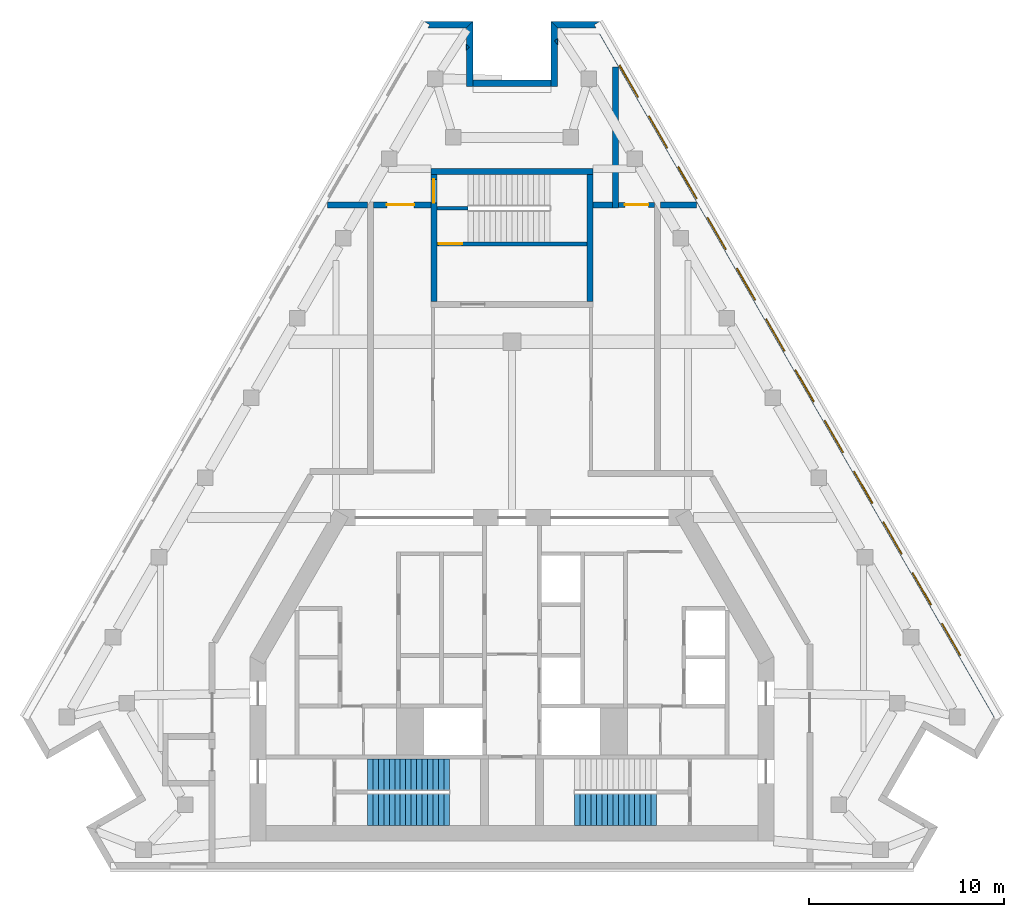
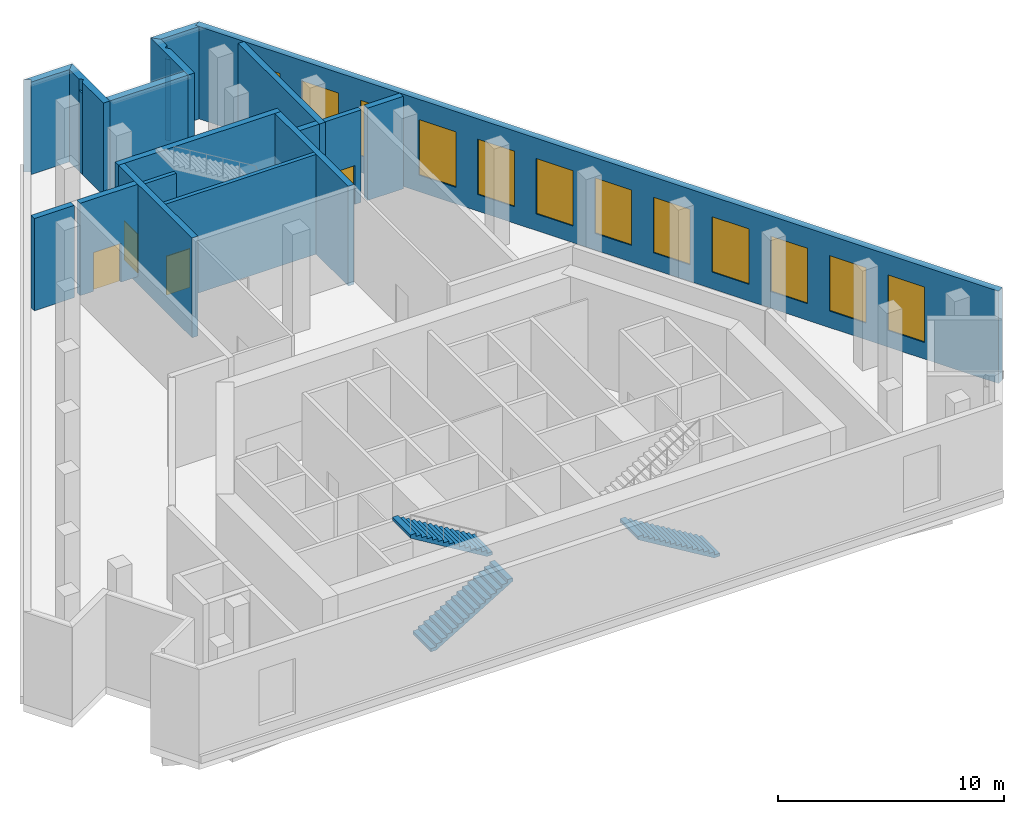
# One storey, part 6 of 8: 19 walls, 12 windows, 4 doors, 3 stair flights, 16 openings, 2 elements without a shape of their own.
"""IFC4 building model written with IfcOpenShell, lengths in metres."""

from ifc_helpers import new_model, si_unit, direction, frame, frame_2d, origin, place, context, subcontext, project, spatial, polyline, rectangle, outline, extrude, material, layer, layer_set, type_object, element, fill, aggregate, save


model = new_model("IFC4")

# Units and contexts
model_context = context("Model", 3, precision=1e-05, world=origin(), true_north=direction((0.0, 1.0)))
body_context = subcontext(model_context, "Body", "Model", "MODEL_VIEW")
ifc_project = project(units=[si_unit("LENGTHUNIT", "METRE"), si_unit("AREAUNIT", "SQUARE_METRE"), si_unit("VOLUMEUNIT", "CUBIC_METRE"), si_unit("PLANEANGLEUNIT", "RADIAN"), si_unit("MASSUNIT", "GRAM", prefix="KILO")], contexts=[model_context])

# Site, building, storey
site_placement = place(None, origin())
site = spatial("IfcSite", under=ifc_project, at=site_placement, CompositionType="ELEMENT")
building_placement = place(site_placement, origin())
building = spatial("IfcBuilding", under=site, at=building_placement, Name="Fogline Exchange Tower", CompositionType="ELEMENT")
storey_placement = place(building_placement, frame((0.0, 0.0, 304.5)))
storey = spatial("IfcBuildingStorey", under=building, at=storey_placement, Name="L69", CompositionType="ELEMENT", Elevation=304.5)

# Wall
ifc_material_1 = material(Name="Concrete C40", Category="concrete")
ifc_layer_1 = layer(ifc_material_1, 0.199951171875)
ifc_layer_set_1 = layer_set([ifc_layer_1], Name="CW20B")
wall_type_1 = type_object("IfcWallType", Name="CW20B", PredefinedType="SOLIDWALL", material=ifc_layer_set_1)
wall_1_placement = place(storey_placement, frame((-3.85009765625, 33.83203125, 0.0), z_axis=(0.0, 0.0, 1.0), x_axis=(1.0, 0.0, 0.0)))
element("IfcWall", 1, at=wall_1_placement, inside=storey, type_object=wall_type_1, Name="Stair separation wall ST3", PredefinedType="SOLIDWALL", context=body_context, shape_type="SweptSolid", body=[
    extrude(rectangle(XDim=1.60009765625, YDim=0.199951171875, at=frame_2d((0.800048828125, 0.0))), origin(), (0.0, 0.0, 1.0), 5.0),
])

# Wall, opening, door
ifc_layer_2 = layer(ifc_material_1, 0.199951171875)
ifc_layer_set_2 = layer_set([ifc_layer_2], Name="CW20R")
wall_type_2 = type_object("IfcWallType", Name="CW20R", PredefinedType="SOLIDWALL", material=ifc_layer_set_2)
wall_2_placement = place(storey_placement, frame((-3.85009765625, 32.007080078125, -0.39990234375), z_axis=(0.0, 0.0, 1.0), x_axis=(1.0, 0.0, 0.0)))
wall_2 = element("IfcWall", 2, at=wall_2_placement, inside=storey, type_object=wall_type_2, Name="Stair enclosure wall ST3", PredefinedType="SOLIDWALL", context=body_context, shape_type="SweptSolid", body=[
    extrude(rectangle(XDim=7.7001953125, YDim=0.199951171875, at=frame_2d((3.85009765625, 0.0))), origin(), (0.0, 0.0, 1.0), 5.39990234375),
])
opening_1_placement = place(wall_2_placement, frame((0.10009765625, 0.0, 0.39990234375)))
opening_1 = element("IfcOpeningElement", 3, at=opening_1_placement, cuts=wall_2, Name="Opening L69-C028", PredefinedType="OPENING", context=body_context, shape_type="SweptSolid", body=[
    extrude(rectangle(XDim=1.199951171875, YDim=2.10009765625, at=frame_2d((0.60009765625, 1.050048828125))), frame((0.0, 0.10986328125, 0.0), z_axis=(0.0, -1.0, 0.0), x_axis=(1.0, 0.0, 0.0)), (0.0, 0.0, 1.0), 0.219970703125),
])
ifc_material_2 = material(Name="Steel and timber fire door", Category="steel")
door_type_1 = type_object("IfcDoorType", Name="D-ST1", OperationType="SINGLE_SWING_LEFT", PredefinedType="DOOR", material=ifc_material_2)
door_1_placement = place(opening_1_placement, origin())
door_1 = element("IfcDoor", 4, at=door_1_placement, inside=storey, type_object=door_type_1, Name="Stair door ST3", OperationType="SINGLE_SWING_LEFT", OverallHeight=2.10009765625, OverallWidth=1.199951171875, PredefinedType="DOOR", context=body_context, shape_type="SweptSolid", body=[
    extrude(rectangle(XDim=1.199951171875, YDim=2.10009765625, at=frame_2d((0.60009765625, 1.050048828125))), frame((0.0, 0.02490234375, 0.0), z_axis=(0.0, -1.0, 0.0), x_axis=(1.0, 0.0, 0.0)), (0.0, 0.0, 1.0), 0.050048828125),
])
fill(opening_1, door_1)

# Wall
ifc_layer_3 = layer(ifc_material_1, 0.300048828125)
ifc_layer_set_3 = layer_set([ifc_layer_3], Name="CW30")
wall_type_3 = type_object("IfcWallType", Name="CW30", PredefinedType="SOLIDWALL", material=ifc_layer_set_3)
wall_3_placement = place(storey_placement, frame((-4.14990234375, 35.70703125, -0.39990234375), z_axis=(0.0, 0.0, 1.0), x_axis=(1.0, 0.0, 0.0)))
element("IfcWall", 5, at=wall_3_placement, inside=storey, type_object=wall_type_3, Name="Stair enclosure wall ST3", PredefinedType="SOLIDWALL", context=body_context, shape_type="SweptSolid", body=[
    extrude(rectangle(XDim=8.2998046875, YDim=0.300048828125, at=frame_2d((4.14990234375, 0.0))), origin(), (0.0, 0.0, 1.0), 5.39990234375),
])

# Wall, opening, door
wall_4_placement = place(storey_placement, frame((-4.0, 29.056884765625, -0.39990234375), z_axis=(0.0, 0.0, 1.0), x_axis=(0.0, 1.0, 0.0)))
wall_4 = element("IfcWall", 6, at=wall_4_placement, inside=storey, type_object=wall_type_3, Name="Stair enclosure wall ST3", PredefinedType="SOLIDWALL", context=body_context, shape_type="SweptSolid", body=[
    extrude(rectangle(XDim=6.5, YDim=0.300048828125, at=frame_2d((3.25, 0.0))), origin(), (0.0, 0.0, 1.0), 5.39990234375),
])
opening_2_placement = place(wall_4_placement, frame((5.050048828125, 0.0, 0.39990234375)))
opening_2 = element("IfcOpeningElement", 7, at=opening_2_placement, cuts=wall_4, Name="Opening L69-C029", PredefinedType="OPENING", context=body_context, shape_type="SweptSolid", body=[
    extrude(rectangle(XDim=1.199951171875, YDim=2.10009765625, at=frame_2d((0.60009765625, 1.050048828125))), frame((0.0, 0.16015625, 0.0), z_axis=(0.0, -1.0, 0.0), x_axis=(1.0, 0.0, 0.0)), (0.0, 0.0, 1.0), 0.320068359375),
])
door_2_placement = place(opening_2_placement, origin())
door_2 = element("IfcDoor", 8, at=door_2_placement, inside=storey, type_object=door_type_1, Name="Stair arrival door ST3", OperationType="SINGLE_SWING_RIGHT", OverallHeight=2.10009765625, OverallWidth=1.199951171875, PredefinedType="DOOR", context=body_context, shape_type="SweptSolid", body=[
    extrude(rectangle(XDim=1.199951171875, YDim=2.10009765625, at=frame_2d((0.60009765625, 1.050048828125))), frame((0.0, 0.02490234375, 0.0), z_axis=(0.0, -1.0, 0.0), x_axis=(1.0, 0.0, 0.0)), (0.0, 0.0, 1.0), 0.050048828125),
])
fill(opening_2, door_2)

# Wall
wall_5_placement = place(storey_placement, frame((4.0, 29.056884765625, -0.39990234375), z_axis=(0.0, 0.0, 1.0), x_axis=(0.0, 1.0, 0.0)))
element("IfcWall", 9, at=wall_5_placement, inside=storey, type_object=wall_type_3, Name="Stair enclosure wall ST3", PredefinedType="SOLIDWALL", context=body_context, shape_type="SweptSolid", body=[
    extrude(rectangle(XDim=6.5, YDim=0.300048828125, at=frame_2d((3.25, 0.0))), origin(), (0.0, 0.0, 1.0), 5.39990234375),
])

# Wall, openings, windows
ifc_material_3 = material(Name="Brick masonry", Category="masonry")
ifc_layer_4 = layer(ifc_material_3, 0.340087890625)
ifc_layer_set_4 = layer_set([ifc_layer_4], Name="FW3")
wall_type_4 = type_object("IfcWallType", Name="FW3", PredefinedType="SOLIDWALL", material=ifc_layer_set_4)
wall_6_placement = place(storey_placement, frame((24.905029296875, 7.709228515625, 0.0), z_axis=(0.0, 0.0, 1.0), x_axis=(-0.50000128873, 0.866024659735, 0.0)))
wall_6 = element("IfcWall", 10, at=wall_6_placement, inside=storey, type_object=wall_type_4, Name="Brick wall L69 E", PredefinedType="SOLIDWALL", context=body_context, shape_type="SweptSolid", body=[
    extrude(rectangle(XDim=41.1044921875, YDim=0.340087890625, at=frame_2d((20.55224609375, 0.0))), origin(), (0.0, 0.0, 1.0), 5.0),
])
opening_3_placement = place(wall_6_placement, frame((3.776123046875, 0.0, 0.89990234375)))
opening_3 = element("IfcOpeningElement", 11, at=opening_3_placement, cuts=wall_6, Name="Opening W6", PredefinedType="OPENING", context=body_context, shape_type="SweptSolid", body=[
    extrude(rectangle(XDim=1.885009765625, YDim=3.0, at=frame_2d((0.9423828125, 1.5))), frame((0.0, 0.18017578125, 0.0), z_axis=(0.0, -1.0, 0.0), x_axis=(1.0, 0.0, 0.0)), (0.0, 0.0, 1.0), 0.360107421875),
])
opening_4_placement = place(wall_6_placement, frame((6.776123046875, 0.0, 0.89990234375)))
opening_4 = element("IfcOpeningElement", 12, at=opening_4_placement, cuts=wall_6, Name="Opening W6", PredefinedType="OPENING", context=body_context, shape_type="SweptSolid", body=[
    extrude(rectangle(XDim=1.885009765625, YDim=3.0, at=frame_2d((0.9423828125, 1.5))), frame((0.0, 0.18017578125, 0.0), z_axis=(0.0, -1.0, 0.0), x_axis=(1.0, 0.0, 0.0)), (0.0, 0.0, 1.0), 0.360107421875),
])
opening_5_placement = place(wall_6_placement, frame((9.776123046875, 0.0, 0.89990234375)))
opening_5 = element("IfcOpeningElement", 13, at=opening_5_placement, cuts=wall_6, Name="Opening W6", PredefinedType="OPENING", context=body_context, shape_type="SweptSolid", body=[
    extrude(rectangle(XDim=1.885009765625, YDim=3.0, at=frame_2d((0.9423828125, 1.5))), frame((0.0, 0.18017578125, 0.0), z_axis=(0.0, -1.0, 0.0), x_axis=(1.0, 0.0, 0.0)), (0.0, 0.0, 1.0), 0.360107421875),
])
opening_6_placement = place(wall_6_placement, frame((12.776123046875, 0.0, 0.89990234375)))
opening_6 = element("IfcOpeningElement", 14, at=opening_6_placement, cuts=wall_6, Name="Opening W6", PredefinedType="OPENING", context=body_context, shape_type="SweptSolid", body=[
    extrude(rectangle(XDim=1.885009765625, YDim=3.0, at=frame_2d((0.9423828125, 1.5))), frame((0.0, 0.18017578125, 0.0), z_axis=(0.0, -1.0, 0.0), x_axis=(1.0, 0.0, 0.0)), (0.0, 0.0, 1.0), 0.360107421875),
])
opening_7_placement = place(wall_6_placement, frame((15.776123046875, 0.0, 0.89990234375)))
opening_7 = element("IfcOpeningElement", 15, at=opening_7_placement, cuts=wall_6, Name="Opening W6", PredefinedType="OPENING", context=body_context, shape_type="SweptSolid", body=[
    extrude(rectangle(XDim=1.885009765625, YDim=3.0, at=frame_2d((0.9423828125, 1.5))), frame((0.0, 0.18017578125, 0.0), z_axis=(0.0, -1.0, 0.0), x_axis=(1.0, 0.0, 0.0)), (0.0, 0.0, 1.0), 0.360107421875),
])
opening_8_placement = place(wall_6_placement, frame((18.776123046875, 0.0, 0.89990234375)))
opening_8 = element("IfcOpeningElement", 16, at=opening_8_placement, cuts=wall_6, Name="Opening W6", PredefinedType="OPENING", context=body_context, shape_type="SweptSolid", body=[
    extrude(rectangle(XDim=1.885009765625, YDim=3.0, at=frame_2d((0.9423828125, 1.5))), frame((0.0, 0.18017578125, 0.0), z_axis=(0.0, -1.0, 0.0), x_axis=(1.0, 0.0, 0.0)), (0.0, 0.0, 1.0), 0.360107421875),
])
opening_9_placement = place(wall_6_placement, frame((21.776123046875, 0.0, 0.89990234375)))
opening_9 = element("IfcOpeningElement", 17, at=opening_9_placement, cuts=wall_6, Name="Opening W6", PredefinedType="OPENING", context=body_context, shape_type="SweptSolid", body=[
    extrude(rectangle(XDim=1.885009765625, YDim=3.0, at=frame_2d((0.9423828125, 1.5))), frame((0.0, 0.18017578125, 0.0), z_axis=(0.0, -1.0, 0.0), x_axis=(1.0, 0.0, 0.0)), (0.0, 0.0, 1.0), 0.360107421875),
])
opening_10_placement = place(wall_6_placement, frame((24.776123046875, 0.0, 0.89990234375)))
opening_10 = element("IfcOpeningElement", 18, at=opening_10_placement, cuts=wall_6, Name="Opening W6", PredefinedType="OPENING", context=body_context, shape_type="SweptSolid", body=[
    extrude(rectangle(XDim=1.885009765625, YDim=3.0, at=frame_2d((0.9423828125, 1.5))), frame((0.0, 0.18017578125, 0.0), z_axis=(0.0, -1.0, 0.0), x_axis=(1.0, 0.0, 0.0)), (0.0, 0.0, 1.0), 0.360107421875),
])
opening_11_placement = place(wall_6_placement, frame((27.776123046875, 0.0, 0.89990234375)))
opening_11 = element("IfcOpeningElement", 19, at=opening_11_placement, cuts=wall_6, Name="Opening W6", PredefinedType="OPENING", context=body_context, shape_type="SweptSolid", body=[
    extrude(rectangle(XDim=1.885009765625, YDim=3.0, at=frame_2d((0.9423828125, 1.5))), frame((0.0, 0.18017578125, 0.0), z_axis=(0.0, -1.0, 0.0), x_axis=(1.0, 0.0, 0.0)), (0.0, 0.0, 1.0), 0.360107421875),
])
opening_12_placement = place(wall_6_placement, frame((30.776123046875, 0.0, 0.89990234375)))
opening_12 = element("IfcOpeningElement", 20, at=opening_12_placement, cuts=wall_6, Name="Opening W6", PredefinedType="OPENING", context=body_context, shape_type="SweptSolid", body=[
    extrude(rectangle(XDim=1.885009765625, YDim=3.0, at=frame_2d((0.9423828125, 1.5))), frame((0.0, 0.18017578125, 0.0), z_axis=(0.0, -1.0, 0.0), x_axis=(1.0, 0.0, 0.0)), (0.0, 0.0, 1.0), 0.360107421875),
])
opening_13_placement = place(wall_6_placement, frame((33.776123046875, 0.0, 0.89990234375)))
opening_13 = element("IfcOpeningElement", 21, at=opening_13_placement, cuts=wall_6, Name="Opening W6", PredefinedType="OPENING", context=body_context, shape_type="SweptSolid", body=[
    extrude(rectangle(XDim=1.885009765625, YDim=3.0, at=frame_2d((0.9423828125, 1.5))), frame((0.0, 0.18017578125, 0.0), z_axis=(0.0, -1.0, 0.0), x_axis=(1.0, 0.0, 0.0)), (0.0, 0.0, 1.0), 0.360107421875),
])
opening_14_placement = place(wall_6_placement, frame((36.776123046875, 0.0, 0.89990234375)))
opening_14 = element("IfcOpeningElement", 22, at=opening_14_placement, cuts=wall_6, Name="Opening W6", PredefinedType="OPENING", context=body_context, shape_type="SweptSolid", body=[
    extrude(rectangle(XDim=1.885009765625, YDim=3.0, at=frame_2d((0.9423828125, 1.5))), frame((0.0, 0.18017578125, 0.0), z_axis=(0.0, -1.0, 0.0), x_axis=(1.0, 0.0, 0.0)), (0.0, 0.0, 1.0), 0.360107421875),
])
ifc_material_4 = material(Name="Aluminium louvre", Category="aluminium")
window_type = type_object("IfcWindowType", Name="W6", PartitioningType="SINGLE_PANEL", PredefinedType="WINDOW", material=ifc_material_4)
window_1_placement = place(opening_3_placement, origin())
window_1 = element("IfcWindow", 23, at=window_1_placement, inside=storey, type_object=window_type, Name="W6 W6", OverallHeight=3.0, OverallWidth=1.885009765625, PartitioningType="SINGLE_PANEL", PredefinedType="WINDOW", context=body_context, shape_type="SweptSolid", body=[
    extrude(rectangle(XDim=1.885009765625, YDim=3.0, at=frame_2d((0.9423828125, 1.5))), frame((0.0, 0.110107421875, 0.0), z_axis=(0.0, -1.0, 0.0), x_axis=(1.0, 0.0, 0.0)), (0.0, 0.0, 1.0), 0.06005859375),
])
fill(opening_3, window_1)
window_2_placement = place(opening_4_placement, origin())
window_2 = element("IfcWindow", 24, at=window_2_placement, inside=storey, type_object=window_type, Name="W6 W6", OverallHeight=3.0, OverallWidth=1.885009765625, PartitioningType="SINGLE_PANEL", PredefinedType="WINDOW", context=body_context, shape_type="SweptSolid", body=[
    extrude(rectangle(XDim=1.885009765625, YDim=3.0, at=frame_2d((0.9423828125, 1.5))), frame((0.0, 0.110107421875, 0.0), z_axis=(0.0, -1.0, 0.0), x_axis=(1.0, 0.0, 0.0)), (0.0, 0.0, 1.0), 0.06005859375),
])
fill(opening_4, window_2)
window_3_placement = place(opening_5_placement, origin())
window_3 = element("IfcWindow", 25, at=window_3_placement, inside=storey, type_object=window_type, Name="W6 W6", OverallHeight=3.0, OverallWidth=1.885009765625, PartitioningType="SINGLE_PANEL", PredefinedType="WINDOW", context=body_context, shape_type="SweptSolid", body=[
    extrude(rectangle(XDim=1.885009765625, YDim=3.0, at=frame_2d((0.9423828125, 1.5))), frame((0.0, 0.110107421875, 0.0), z_axis=(0.0, -1.0, 0.0), x_axis=(1.0, 0.0, 0.0)), (0.0, 0.0, 1.0), 0.06005859375),
])
fill(opening_5, window_3)
window_4_placement = place(opening_6_placement, origin())
window_4 = element("IfcWindow", 26, at=window_4_placement, inside=storey, type_object=window_type, Name="W6 W6", OverallHeight=3.0, OverallWidth=1.885009765625, PartitioningType="SINGLE_PANEL", PredefinedType="WINDOW", context=body_context, shape_type="SweptSolid", body=[
    extrude(rectangle(XDim=1.885009765625, YDim=3.0, at=frame_2d((0.9423828125, 1.5))), frame((0.0, 0.110107421875, 0.0), z_axis=(0.0, -1.0, 0.0), x_axis=(1.0, 0.0, 0.0)), (0.0, 0.0, 1.0), 0.06005859375),
])
fill(opening_6, window_4)
window_5_placement = place(opening_7_placement, origin())
window_5 = element("IfcWindow", 27, at=window_5_placement, inside=storey, type_object=window_type, Name="W6 W6", OverallHeight=3.0, OverallWidth=1.885009765625, PartitioningType="SINGLE_PANEL", PredefinedType="WINDOW", context=body_context, shape_type="SweptSolid", body=[
    extrude(rectangle(XDim=1.885009765625, YDim=3.0, at=frame_2d((0.9423828125, 1.5))), frame((0.0, 0.110107421875, 0.0), z_axis=(0.0, -1.0, 0.0), x_axis=(1.0, 0.0, 0.0)), (0.0, 0.0, 1.0), 0.06005859375),
])
fill(opening_7, window_5)
window_6_placement = place(opening_8_placement, origin())
window_6 = element("IfcWindow", 28, at=window_6_placement, inside=storey, type_object=window_type, Name="W6 W6", OverallHeight=3.0, OverallWidth=1.885009765625, PartitioningType="SINGLE_PANEL", PredefinedType="WINDOW", context=body_context, shape_type="SweptSolid", body=[
    extrude(rectangle(XDim=1.885009765625, YDim=3.0, at=frame_2d((0.9423828125, 1.5))), frame((0.0, 0.110107421875, 0.0), z_axis=(0.0, -1.0, 0.0), x_axis=(1.0, 0.0, 0.0)), (0.0, 0.0, 1.0), 0.06005859375),
])
fill(opening_8, window_6)
window_7_placement = place(opening_9_placement, origin())
window_7 = element("IfcWindow", 29, at=window_7_placement, inside=storey, type_object=window_type, Name="W6 W6", OverallHeight=3.0, OverallWidth=1.885009765625, PartitioningType="SINGLE_PANEL", PredefinedType="WINDOW", context=body_context, shape_type="SweptSolid", body=[
    extrude(rectangle(XDim=1.885009765625, YDim=3.0, at=frame_2d((0.9423828125, 1.5))), frame((0.0, 0.110107421875, 0.0), z_axis=(0.0, -1.0, 0.0), x_axis=(1.0, 0.0, 0.0)), (0.0, 0.0, 1.0), 0.06005859375),
])
fill(opening_9, window_7)
window_8_placement = place(opening_10_placement, origin())
window_8 = element("IfcWindow", 30, at=window_8_placement, inside=storey, type_object=window_type, Name="W6 W6", OverallHeight=3.0, OverallWidth=1.885009765625, PartitioningType="SINGLE_PANEL", PredefinedType="WINDOW", context=body_context, shape_type="SweptSolid", body=[
    extrude(rectangle(XDim=1.885009765625, YDim=3.0, at=frame_2d((0.9423828125, 1.5))), frame((0.0, 0.110107421875, 0.0), z_axis=(0.0, -1.0, 0.0), x_axis=(1.0, 0.0, 0.0)), (0.0, 0.0, 1.0), 0.06005859375),
])
fill(opening_10, window_8)
window_9_placement = place(opening_11_placement, origin())
window_9 = element("IfcWindow", 31, at=window_9_placement, inside=storey, type_object=window_type, Name="W6 W6", OverallHeight=3.0, OverallWidth=1.885009765625, PartitioningType="SINGLE_PANEL", PredefinedType="WINDOW", context=body_context, shape_type="SweptSolid", body=[
    extrude(rectangle(XDim=1.885009765625, YDim=3.0, at=frame_2d((0.9423828125, 1.5))), frame((0.0, 0.110107421875, 0.0), z_axis=(0.0, -1.0, 0.0), x_axis=(1.0, 0.0, 0.0)), (0.0, 0.0, 1.0), 0.06005859375),
])
fill(opening_11, window_9)
window_10_placement = place(opening_12_placement, origin())
window_10 = element("IfcWindow", 32, at=window_10_placement, inside=storey, type_object=window_type, Name="W6 W6", OverallHeight=3.0, OverallWidth=1.885009765625, PartitioningType="SINGLE_PANEL", PredefinedType="WINDOW", context=body_context, shape_type="SweptSolid", body=[
    extrude(rectangle(XDim=1.885009765625, YDim=3.0, at=frame_2d((0.9423828125, 1.5))), frame((0.0, 0.110107421875, 0.0), z_axis=(0.0, -1.0, 0.0), x_axis=(1.0, 0.0, 0.0)), (0.0, 0.0, 1.0), 0.06005859375),
])
fill(opening_12, window_10)
window_11_placement = place(opening_13_placement, origin())
window_11 = element("IfcWindow", 33, at=window_11_placement, inside=storey, type_object=window_type, Name="W6 W6", OverallHeight=3.0, OverallWidth=1.885009765625, PartitioningType="SINGLE_PANEL", PredefinedType="WINDOW", context=body_context, shape_type="SweptSolid", body=[
    extrude(rectangle(XDim=1.885009765625, YDim=3.0, at=frame_2d((0.9423828125, 1.5))), frame((0.0, 0.110107421875, 0.0), z_axis=(0.0, -1.0, 0.0), x_axis=(1.0, 0.0, 0.0)), (0.0, 0.0, 1.0), 0.06005859375),
])
fill(opening_13, window_11)
window_12_placement = place(opening_14_placement, origin())
window_12 = element("IfcWindow", 34, at=window_12_placement, inside=storey, type_object=window_type, Name="W6 W6", OverallHeight=3.0, OverallWidth=1.885009765625, PartitioningType="SINGLE_PANEL", PredefinedType="WINDOW", context=body_context, shape_type="SweptSolid", body=[
    extrude(rectangle(XDim=1.885009765625, YDim=3.0, at=frame_2d((0.9423828125, 1.5))), frame((0.0, 0.110107421875, 0.0), z_axis=(0.0, -1.0, 0.0), x_axis=(1.0, 0.0, 0.0)), (0.0, 0.0, 1.0), 0.06005859375),
])
fill(opening_14, window_12)

# Walls
wall_7_placement = place(storey_placement, origin())
element("IfcWall", 35, at=wall_7_placement, inside=storey, type_object=wall_type_4, Name="Brick wall L69 N-c1", PredefinedType="SOLIDWALL", context=body_context, shape_type="SweptSolid", body=[
    extrude(outline(polyline([(1.9990234375, 43.392333984375), (4.5009765625, 43.392333984375), (4.501220703125, 43.3916015625), (4.206298828125, 43.221435546875), (4.3046875, 43.051025390625), (2.33984375, 43.051025390625), (1.998779296875, 43.39208984375), (1.9990234375, 43.392333984375)])), origin(), (0.0, 0.0, 1.0), 5.0),
])
wall_8_placement = place(storey_placement, origin())
element("IfcWall", 36, at=wall_8_placement, inside=storey, type_object=wall_type_4, Name="Brick wall L69 N-s1", PredefinedType="SOLIDWALL", context=body_context, shape_type="SweptSolid", body=[
    extrude(outline(polyline([(2.340576171875, 42.18994140625), (2.181396484375, 42.3974609375), (2.340576171875, 42.519775390625), (2.340576171875, 42.18994140625)])), origin(), (0.0, 0.0, 1.0), 4.39990234375),
])
wall_9_placement = place(storey_placement, origin())
element("IfcWall", 37, at=wall_9_placement, inside=storey, type_object=wall_type_4, Name="Brick wall L69 N-s1", PredefinedType="SOLIDWALL", context=body_context, shape_type="SweptSolid", body=[
    extrude(outline(polyline([(1.99951171875, 40.051025390625), (1.99951171875, 43.392578125), (1.999755859375, 43.392822265625), (2.340576171875, 43.052001953125), (2.340576171875, 42.519775390625), (2.181396484375, 42.3974609375), (2.340576171875, 42.18994140625), (2.340576171875, 40.051025390625), (1.99951171875, 40.051025390625)])), origin(), (0.0, 0.0, 1.0), 5.0),
])
wall_10_placement = place(storey_placement, frame((2.0, 40.2216796875, 0.0), z_axis=(0.0, 0.0, 1.0), x_axis=(-1.0, 0.0, 0.0)))
element("IfcWall", 38, at=wall_10_placement, inside=storey, type_object=wall_type_4, Name="Brick wall L69 N-bk", PredefinedType="SOLIDWALL", context=body_context, shape_type="SweptSolid", body=[
    extrude(rectangle(XDim=4.0, YDim=0.340087890625, at=frame_2d((2.0, 0.0))), origin(), (0.0, 0.0, 1.0), 5.0),
])
wall_11_placement = place(storey_placement, origin())
element("IfcWall", 39, at=wall_11_placement, inside=storey, type_object=wall_type_4, Name="Brick wall L69 N-s2", PredefinedType="SOLIDWALL", context=body_context, shape_type="SweptSolid", body=[
    extrude(outline(polyline([(-2.340576171875, 42.2197265625), (-2.186767578125, 42.08056640625), (-2.340576171875, 41.91015625), (-2.340576171875, 42.2197265625)])), origin(), (0.0, 0.0, 1.0), 4.39990234375),
])
wall_12_placement = place(storey_placement, origin())
element("IfcWall", 40, at=wall_12_placement, inside=storey, type_object=wall_type_4, Name="Brick wall L69 N-s2", PredefinedType="SOLIDWALL", context=body_context, shape_type="SweptSolid", body=[
    extrude(outline(polyline([(-1.99951171875, 40.051025390625), (-2.340576171875, 40.051025390625), (-2.340576171875, 41.91015625), (-2.186767578125, 42.08056640625), (-2.340576171875, 42.2197265625), (-2.340576171875, 43.052001953125), (-1.999755859375, 43.392822265625), (-1.99951171875, 43.392578125), (-1.99951171875, 40.051025390625)])), origin(), (0.0, 0.0, 1.0), 5.0),
])
wall_13_placement = place(storey_placement, origin())
element("IfcWall", 41, at=wall_13_placement, inside=storey, type_object=wall_type_4, Name="Brick wall L69 N-c2", PredefinedType="SOLIDWALL", context=body_context, shape_type="SweptSolid", body=[
    extrude(outline(polyline([(-4.3046875, 43.051025390625), (-4.206298828125, 43.221435546875), (-4.501220703125, 43.3916015625), (-4.5009765625, 43.392333984375), (-1.9990234375, 43.392333984375), (-1.998779296875, 43.39208984375), (-2.33984375, 43.051025390625), (-4.3046875, 43.051025390625)])), origin(), (0.0, 0.0, 1.0), 5.0),
])

# Wall, opening, door
ifc_layer_5 = layer(ifc_material_1, 0.25)
ifc_layer_set_5 = layer_set([ifc_layer_5], Name="PP3")
wall_type_5 = type_object("IfcWallType", Name="PP3", PredefinedType="SOLIDWALL", material=ifc_layer_set_5)
wall_14_placement = place(storey_placement, frame((5.449951171875, 34.007080078125, 0.0), z_axis=(0.0, 0.0, 1.0), x_axis=(1.0, 0.0, 0.0)))
wall_14 = element("IfcWall", 42, at=wall_14_placement, inside=storey, type_object=wall_type_5, Name="PP3 partition", PredefinedType="SOLIDWALL", context=body_context, shape_type="SweptSolid", body=[
    extrude(rectangle(XDim=1.85009765625, YDim=0.25, at=frame_2d((0.925048828125, 0.0))), origin(), (0.0, 0.0, 1.0), 5.0),
])
opening_15_placement = place(wall_14_placement, frame((0.324951171875, 0.0, 0.0)))
opening_15 = element("IfcOpeningElement", 43, at=opening_15_placement, cuts=wall_14, Name="Opening L69-D005", PredefinedType="OPENING", context=body_context, shape_type="SweptSolid", body=[
    extrude(rectangle(XDim=1.199951171875, YDim=2.10009765625, at=frame_2d((0.60009765625, 1.050048828125))), frame((0.0, 0.135009765625, 0.0), z_axis=(0.0, -1.0, 0.0), x_axis=(1.0, 0.0, 0.0)), (0.0, 0.0, 1.0), 0.27001953125),
])
ifc_material_5 = material(Name="Steel Q235B", Category="steel")
door_type_2 = type_object("IfcDoorType", Name="PD7", OperationType="SINGLE_SWING_LEFT", PredefinedType="DOOR", material=ifc_material_5)
door_3_placement = place(opening_15_placement, origin())
door_3 = element("IfcDoor", 44, at=door_3_placement, inside=storey, type_object=door_type_2, Name="L69-D005", OperationType="SINGLE_SWING_RIGHT", OverallHeight=2.10009765625, OverallWidth=1.199951171875, PredefinedType="DOOR", context=body_context, shape_type="SweptSolid", body=[
    extrude(rectangle(XDim=1.199951171875, YDim=2.10009765625, at=frame_2d((0.60009765625, 1.050048828125))), frame((0.0, 0.02490234375, 0.0), z_axis=(0.0, -1.0, 0.0), x_axis=(1.0, 0.0, 0.0)), (0.0, 0.0, 1.0), 0.050048828125),
])
fill(opening_15, door_3)

# Wall
ifc_layer_6 = layer(ifc_material_1, 0.300048828125)
ifc_layer_set_6 = layer_set([ifc_layer_6], Name="PP4")
wall_type_6 = type_object("IfcWallType", Name="PP4", PredefinedType="SOLIDWALL", material=ifc_layer_set_6)
wall_15_placement = place(storey_placement, frame((5.300048828125, 41.066162109375, 0.0), z_axis=(0.0, 0.0, 1.0), x_axis=(0.0, -1.0, 0.0)))
element("IfcWall", 45, at=wall_15_placement, inside=storey, type_object=wall_type_6, Name="PP4 partition", PredefinedType="SOLIDWALL", context=body_context, shape_type="SweptSolid", body=[
    extrude(rectangle(XDim=7.209228515625, YDim=0.300048828125, at=frame_2d((3.6044921875, 0.0))), origin(), (0.0, 0.0, 1.0), 5.0),
])

# Wall, opening, door
wall_16_placement = place(storey_placement, frame((-7.10009765625, 34.007080078125, 0.0), z_axis=(0.0, 0.0, 1.0), x_axis=(1.0, 0.0, 0.0)))
wall_16 = element("IfcWall", 46, at=wall_16_placement, inside=storey, type_object=wall_type_6, Name="PP4 partition", PredefinedType="SOLIDWALL", context=body_context, shape_type="SweptSolid", body=[
    extrude(rectangle(XDim=2.9501953125, YDim=0.300048828125, at=frame_2d((1.47509765625, 0.0))), origin(), (0.0, 0.0, 1.0), 5.0),
])
opening_16_placement = place(wall_16_placement, frame((0.68994140625, 0.0, 0.0)))
opening_16 = element("IfcOpeningElement", 47, at=opening_16_placement, cuts=wall_16, Name="Opening L69-D004", PredefinedType="OPENING", context=body_context, shape_type="SweptSolid", body=[
    extrude(rectangle(XDim=1.39990234375, YDim=2.10009765625, at=frame_2d((0.699951171875, 1.050048828125))), frame((0.0, 0.16015625, 0.0), z_axis=(0.0, -1.0, 0.0), x_axis=(1.0, 0.0, 0.0)), (0.0, 0.0, 1.0), 0.320068359375),
])
door_type_3 = type_object("IfcDoorType", Name="PD12", OperationType="SINGLE_SWING_LEFT", PredefinedType="DOOR", material=ifc_material_5)
door_4_placement = place(opening_16_placement, frame((1.39990234375, 0.0, 0.0), z_axis=(0.0, 0.0, 1.0), x_axis=(-1.0, 0.0, 0.0)))
door_4 = element("IfcDoor", 48, at=door_4_placement, inside=storey, type_object=door_type_3, Name="L69-D004", OperationType="SINGLE_SWING_RIGHT", OverallHeight=2.10009765625, OverallWidth=1.39990234375, PredefinedType="DOOR", context=body_context, shape_type="SweptSolid", body=[
    extrude(rectangle(XDim=1.39990234375, YDim=2.10009765625, at=frame_2d((0.699951171875, 1.050048828125))), frame((0.0, 0.02490234375, 0.0), z_axis=(0.0, -1.0, 0.0), x_axis=(1.0, 0.0, 0.0)), (0.0, 0.0, 1.0), 0.050048828125),
])
fill(opening_16, door_4)

# Walls
wall_17_placement = place(storey_placement, frame((-7.39990234375, 34.006103515625, 0.0), z_axis=(0.0, 0.0, 1.0), x_axis=(-1.0, 0.0, 0.0)))
element("IfcWall", 49, at=wall_17_placement, inside=storey, type_object=wall_type_6, Name="PP4 partition", PredefinedType="SOLIDWALL", context=body_context, shape_type="SweptSolid", body=[
    extrude(rectangle(XDim=2.039794921875, YDim=0.300048828125, at=frame_2d((1.02001953125, 0.0))), origin(), (0.0, 0.0, 1.0), 5.0),
])
wall_18_placement = place(storey_placement, frame((9.439697265625, 34.006103515625, 0.0), z_axis=(0.0, 0.0, 1.0), x_axis=(-1.0, 0.0, 0.0)))
element("IfcWall", 50, at=wall_18_placement, inside=storey, type_object=wall_type_6, Name="PP4 partition", PredefinedType="SOLIDWALL", context=body_context, shape_type="SweptSolid", body=[
    extrude(rectangle(XDim=1.839599609375, YDim=0.300048828125, at=frame_2d((0.919921875, 0.0))), origin(), (0.0, 0.0, 1.0), 5.0),
])
wall_19_placement = place(storey_placement, frame((4.14990234375, 34.007080078125, 0.0), z_axis=(0.0, 0.0, 1.0), x_axis=(1.0, 0.0, 0.0)))
element("IfcWall", 51, at=wall_19_placement, inside=storey, type_object=wall_type_6, Name="PP4 partition", PredefinedType="SOLIDWALL", context=body_context, shape_type="SweptSolid", body=[
    extrude(rectangle(XDim=1.0, YDim=0.300048828125, at=frame_2d((0.5, 0.0))), origin(), (0.0, 0.0, 1.0), 5.0),
])

# Stair, stair flights
stair_type = type_object("IfcStairType", Name="STR32-1688", PredefinedType="HALF_TURN_STAIR", material=ifc_material_1)
stair_1_placement = place(storey_placement, origin())
stair_1 = element("IfcStair", 52, at=stair_1_placement, inside=storey, type_object=stair_type, Name="Stair ST1", PredefinedType="HALF_TURN_STAIR")
stair_flight_type = type_object("IfcStairFlightType", Name="SF16-1688", PredefinedType="STRAIGHT", material=ifc_material_1)
stair_flight_1_placement = place(storey_placement, frame((-7.39990234375, 3.050048828125, 0.0), z_axis=(0.0, 0.0, 1.0), x_axis=(1.0, 0.0, 0.0)))
stair_flight_1 = element("IfcStairFlight", 53, at=stair_flight_1_placement, type_object=stair_flight_type, Name="ST1 flight 1", NumberOfRisers=16, NumberOfTreads=15, PredefinedType="STRAIGHT", RiserHeight=0.16875, TreadLength=0.28, context=body_context, shape_type="SweptSolid", body=[
    extrude(outline(polyline([(0.0, 0.0), (0.0, 0.168701171875), (0.280029296875, 0.168701171875), (0.280029296875, 0.33740234375), (0.56005859375, 0.33740234375), (0.56005859375, 0.50634765625), (0.840087890625, 0.50634765625), (0.840087890625, 0.675048828125), (1.1201171875, 0.675048828125), (1.1201171875, 0.84375), (1.39990234375, 0.84375), (1.39990234375, 1.012451171875), (1.679931640625, 1.012451171875), (1.679931640625, 1.18115234375), (1.9599609375, 1.18115234375), (1.9599609375, 1.35009765625), (2.239990234375, 1.35009765625), (2.239990234375, 1.518798828125), (2.52001953125, 1.518798828125), (2.52001953125, 1.6875), (2.800048828125, 1.6875), (2.800048828125, 1.856201171875), (3.080078125, 1.856201171875), (3.080078125, 2.02490234375), (3.360107421875, 2.02490234375), (3.360107421875, 2.19384765625), (3.639892578125, 2.19384765625), (3.639892578125, 2.362548828125), (3.919921875, 2.362548828125), (3.919921875, 2.53125), (4.199951171875, 2.53125), (4.199951171875, 2.699951171875), (4.199951171875, 2.356201171875), (0.29052734375, 0.0), (0.0, 0.0)])), frame((0.0, 0.800048828125, 0.0), z_axis=(0.0, -1.0, 0.0), x_axis=(1.0, 0.0, 0.0)), (0.0, 0.0, 1.0), 1.60009765625),
])
stair_flight_2_placement = place(storey_placement, frame((-3.199951171875, 4.85009765625, 2.699951171875), z_axis=(0.0, 0.0, 1.0), x_axis=(-1.0, 0.0, 0.0)))
stair_flight_2 = element("IfcStairFlight", 54, at=stair_flight_2_placement, type_object=stair_flight_type, Name="ST1 flight 2", NumberOfRisers=16, NumberOfTreads=15, PredefinedType="STRAIGHT", RiserHeight=0.16875, TreadLength=0.28, context=body_context, shape_type="SweptSolid", body=[
    extrude(outline(polyline([(0.0, 0.0), (0.0, 0.168701171875), (0.280029296875, 0.168701171875), (0.280029296875, 0.33740234375), (0.56005859375, 0.33740234375), (0.56005859375, 0.50634765625), (0.840087890625, 0.50634765625), (0.840087890625, 0.675048828125), (1.1201171875, 0.675048828125), (1.1201171875, 0.84375), (1.39990234375, 0.84375), (1.39990234375, 1.012451171875), (1.679931640625, 1.012451171875), (1.679931640625, 1.18115234375), (1.9599609375, 1.18115234375), (1.9599609375, 1.35009765625), (2.239990234375, 1.35009765625), (2.239990234375, 1.518798828125), (2.52001953125, 1.518798828125), (2.52001953125, 1.6875), (2.800048828125, 1.6875), (2.800048828125, 1.856201171875), (3.080078125, 1.856201171875), (3.080078125, 2.02490234375), (3.360107421875, 2.02490234375), (3.360107421875, 2.19384765625), (3.639892578125, 2.19384765625), (3.639892578125, 2.362548828125), (3.919921875, 2.362548828125), (3.919921875, 2.53125), (4.199951171875, 2.53125), (4.199951171875, 2.699951171875), (4.199951171875, 2.356201171875), (0.29052734375, 0.0), (0.0, 0.0)])), frame((0.0, 0.800048828125, 0.0), z_axis=(0.0, -1.0, 0.0), x_axis=(1.0, 0.0, 0.0)), (0.0, 0.0, 1.0), 1.60009765625),
])
aggregate(stair_1, [stair_flight_1, stair_flight_2])

# Stair, stair flight
stair_2_placement = place(storey_placement, origin())
stair_2 = element("IfcStair", 55, at=stair_2_placement, inside=storey, type_object=stair_type, Name="Stair ST2", PredefinedType="HALF_TURN_STAIR")
stair_flight_3_placement = place(storey_placement, frame((7.39990234375, 3.050048828125, 0.0), z_axis=(0.0, 0.0, 1.0), x_axis=(-1.0, 0.0, 0.0)))
stair_flight_3 = element("IfcStairFlight", 56, at=stair_flight_3_placement, type_object=stair_flight_type, Name="ST2 flight 1", NumberOfRisers=16, NumberOfTreads=15, PredefinedType="STRAIGHT", RiserHeight=0.16875, TreadLength=0.28, context=body_context, shape_type="SweptSolid", body=[
    extrude(outline(polyline([(0.0, 0.0), (0.0, 0.168701171875), (0.280029296875, 0.168701171875), (0.280029296875, 0.33740234375), (0.56005859375, 0.33740234375), (0.56005859375, 0.50634765625), (0.840087890625, 0.50634765625), (0.840087890625, 0.675048828125), (1.1201171875, 0.675048828125), (1.1201171875, 0.84375), (1.39990234375, 0.84375), (1.39990234375, 1.012451171875), (1.679931640625, 1.012451171875), (1.679931640625, 1.18115234375), (1.9599609375, 1.18115234375), (1.9599609375, 1.35009765625), (2.239990234375, 1.35009765625), (2.239990234375, 1.518798828125), (2.52001953125, 1.518798828125), (2.52001953125, 1.6875), (2.800048828125, 1.6875), (2.800048828125, 1.856201171875), (3.080078125, 1.856201171875), (3.080078125, 2.02490234375), (3.360107421875, 2.02490234375), (3.360107421875, 2.19384765625), (3.639892578125, 2.19384765625), (3.639892578125, 2.362548828125), (3.919921875, 2.362548828125), (3.919921875, 2.53125), (4.199951171875, 2.53125), (4.199951171875, 2.699951171875), (4.199951171875, 2.356201171875), (0.29052734375, 0.0), (0.0, 0.0)])), frame((0.0, 0.800048828125, 0.0), z_axis=(0.0, -1.0, 0.0), x_axis=(1.0, 0.0, 0.0)), (0.0, 0.0, 1.0), 1.60009765625),
])
aggregate(stair_2, [stair_flight_3])

save(model, "model.ifc")
